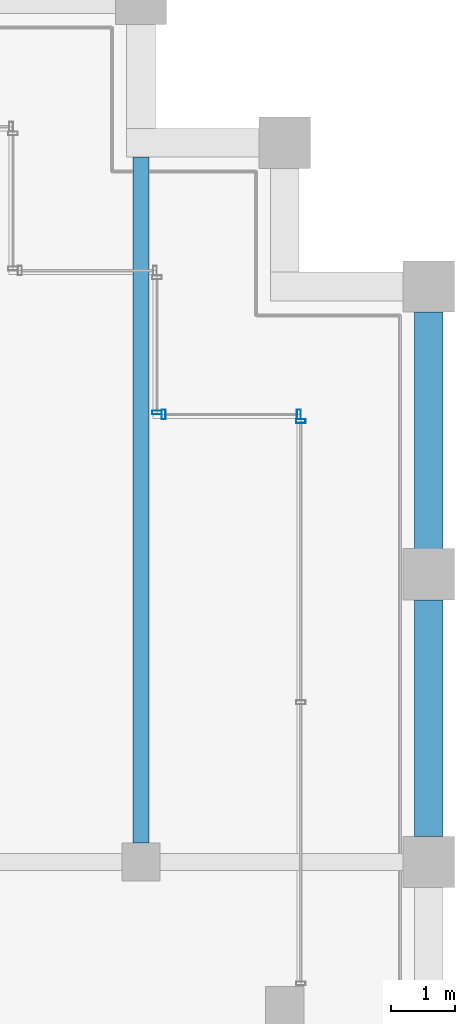
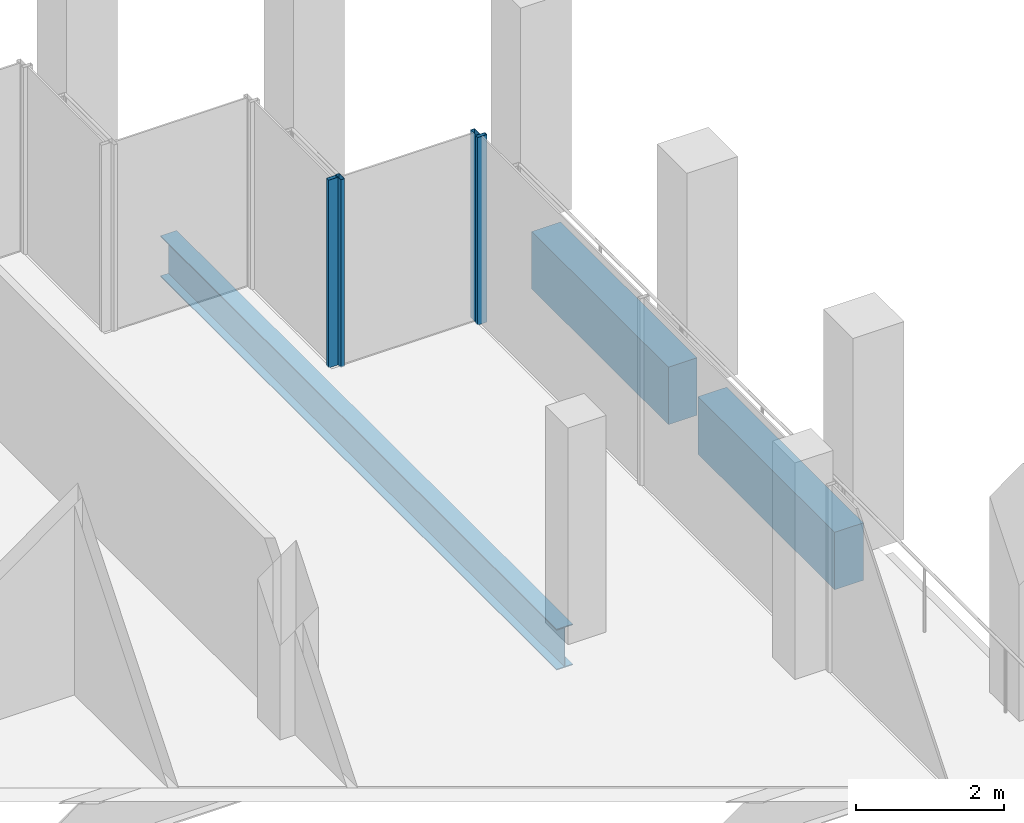
# One storey, part 25 of 30: 4 members, 3 beams, 3 elements without a shape of their own.
"""IFC4 building model written with IfcOpenShell, lengths in metres."""

from ifc_helpers import new_model, si_unit, direction, frame, origin, origin_2d, place, context, subcontext, project, spatial, rectangle, hollow_rectangle, i_section, extrude, material, material_profile, profile_set, type_object, element, aggregate, save


model = new_model("IFC4")

# Units and contexts
model_context = context("Model", 3, precision=1e-05, world=origin(), true_north=direction((0.0, 1.0)))
body_context = subcontext(model_context, "Body", "Model", "MODEL_VIEW")
ifc_project = project(units=[si_unit("LENGTHUNIT", "METRE"), si_unit("AREAUNIT", "SQUARE_METRE"), si_unit("VOLUMEUNIT", "CUBIC_METRE"), si_unit("PLANEANGLEUNIT", "RADIAN"), si_unit("MASSUNIT", "GRAM", prefix="KILO")], contexts=[model_context])

# Site, building, storey
site_placement = place(None, origin())
site = spatial("IfcSite", under=ifc_project, at=site_placement, CompositionType="ELEMENT")
building_placement = place(site_placement, origin())
building = spatial("IfcBuilding", under=site, at=building_placement, Name="Altepetl Exchange Towers", CompositionType="ELEMENT")
storey_placement = place(building_placement, frame((0.0, 0.0, 238.800048828125)))
storey = spatial("IfcBuildingStorey", under=building, at=storey_placement, Name="L61", CompositionType="ELEMENT", Elevation=238.800048828125)

# Beam
ifc_material_1 = material(Name="Steel S355", Category="steel")
ifc_material_profile_1 = material_profile(ifc_material_1, i_section(OverallWidth=0.2529296875, OverallDepth=0.677978515625, WebThickness=0.01171875, FlangeThickness=0.016357421875, at=origin_2d()), Name="W27X84")
ifc_profile_set_1 = profile_set([ifc_material_profile_1], Name="Steel S355")
beam_type_1 = type_object("IfcBeamType", Name="Floor beam W27X84", PredefinedType="BEAM", material=ifc_profile_set_1)
beam_placement = place(storey_placement, frame((67.5, 58.800048828125, -0.489013671875), z_axis=(0.0, 1.0, 0.0), x_axis=(-1.0, 0.0, 0.0)))
element("IfcBeam", 1, at=beam_placement, inside=storey, type_object=beam_type_1, Name="bm:A:L61:005", PredefinedType="BEAM", context=body_context, shape_type="SweptSolid", body=[
    extrude(i_section(OverallWidth=0.2529296875, OverallDepth=0.677978515625, WebThickness=0.01171875, FlangeThickness=0.016357421875, at=origin_2d()), origin(), (0.0, 0.0, 1.0), 10.724853515625),
])

# Curtain wall, member
ifc_material_2 = material(Name="Aluminium 6063-T6 glazing", Category="aluminium")
curtain_wall_type = type_object("IfcCurtainWallType", Name="Loggia glazing system", PredefinedType="NOTDEFINED", material=ifc_material_2)
curtain_wall_1_placement = place(storey_placement, origin())
curtain_wall_1 = element("IfcCurtainWall", 2, at=curtain_wall_1_placement, inside=storey, type_object=curtain_wall_type, Name="CW1 run", PredefinedType="NOTDEFINED")
ifc_material_3 = material(Name="Aluminium 6063-T6", Category="aluminium")
ifc_material_profile_2 = material_profile(ifc_material_3, hollow_rectangle(XDim=0.06005859375, YDim=0.14990234375, WallThickness=0.0029296875, at=origin_2d()), Name="Mullion 60x150 aluminium")
ifc_profile_set_2 = profile_set([ifc_material_profile_2], Name="Aluminium 6063-T6")
member_type = type_object("IfcMemberType", Name="Mullion 60x150 aluminium", PredefinedType="MULLION", material=ifc_profile_set_2)
member_1_placement = place(storey_placement, frame((70.0, 65.39501953125, 0.0), z_axis=(0.0, 0.0, 1.0), x_axis=(0.0, 1.0, 0.0)))
member_1 = element("IfcMember", 3, at=member_1_placement, type_object=member_type, Name="MU1 mullion", PredefinedType="MULLION", context=body_context, shape_type="SweptSolid", body=[
    extrude(hollow_rectangle(XDim=0.06005859375, YDim=0.14990234375, WallThickness=0.0029296875, at=origin_2d()), origin(), (0.0, 0.0, 1.0), 3.099853515625),
])
aggregate(curtain_wall_1, [member_1])

# Curtain wall, members
curtain_wall_2_placement = place(storey_placement, origin())
curtain_wall_2 = element("IfcCurtainWall", 4, at=curtain_wall_2_placement, inside=storey, type_object=curtain_wall_type, Name="CW1 run", PredefinedType="NOTDEFINED")
member_2_placement = place(storey_placement, frame((69.969970703125, 65.5, 0.0), z_axis=(0.0, 0.0, 1.0), x_axis=(-1.0, 0.0, 0.0)))
member_2 = element("IfcMember", 5, at=member_2_placement, type_object=member_type, Name="MU1 mullion", PredefinedType="MULLION", context=body_context, shape_type="SweptSolid", body=[
    extrude(hollow_rectangle(XDim=0.06005859375, YDim=0.14990234375, WallThickness=0.0029296875, at=origin_2d()), origin(), (0.0, 0.0, 1.0), 3.099853515625),
])
member_3_placement = place(storey_placement, frame((67.85498046875, 65.5, 0.0), z_axis=(0.0, 0.0, 1.0), x_axis=(-1.0, 0.0, 0.0)))
member_3 = element("IfcMember", 6, at=member_3_placement, type_object=member_type, Name="MU1 mullion", PredefinedType="MULLION", context=body_context, shape_type="SweptSolid", body=[
    extrude(hollow_rectangle(XDim=0.06005859375, YDim=0.14990234375, WallThickness=0.0029296875, at=origin_2d()), origin(), (0.0, 0.0, 1.0), 3.099853515625),
])
aggregate(curtain_wall_2, [member_2, member_3])

# Curtain wall, member
curtain_wall_3_placement = place(storey_placement, origin())
curtain_wall_3 = element("IfcCurtainWall", 7, at=curtain_wall_3_placement, inside=storey, type_object=curtain_wall_type, Name="CW1 run", PredefinedType="NOTDEFINED")
member_4_placement = place(storey_placement, frame((67.75, 65.530029296875, 0.0), z_axis=(0.0, 0.0, 1.0), x_axis=(0.0, 1.0, 0.0)))
member_4 = element("IfcMember", 8, at=member_4_placement, type_object=member_type, Name="MU1 mullion", PredefinedType="MULLION", context=body_context, shape_type="SweptSolid", body=[
    extrude(hollow_rectangle(XDim=0.06005859375, YDim=0.14990234375, WallThickness=0.0029296875, at=origin_2d()), origin(), (0.0, 0.0, 1.0), 3.099853515625),
])
aggregate(curtain_wall_3, [member_4])

# Beams
ifc_material_4 = material(Name="Concrete C50/60 precast with cantera rosa facing", Category="concrete")
ifc_material_profile_3 = material_profile(ifc_material_4, rectangle(XDim=0.449951171875, YDim=0.949951171875, at=origin_2d()), Name="450 x 950")
ifc_profile_set_3 = profile_set([ifc_material_profile_3], Name="Concrete C50/60 precast with cantera rosa facing")
beam_type_2 = type_object("IfcBeamType", Name="Spandrel beam 450x950 cantera rosa", PredefinedType="SPANDREL", material=ifc_profile_set_3)
for number, where, z_axis, x_axis, name in (
    (9, (72.0, 58.89990234375, -0.625), (0.0, 1.0, 0.0), (-1.0, 0.0, 0.0), "sp:A:L61:018"),
    (10, (72.0, 63.39990234375, -0.625), (0.0, 1.0, 0.0), (-1.0, 0.0, 0.0), "sp:A:L61:019"),
):
    element("IfcBeam", number, at=place(storey_placement, frame(where, z_axis=z_axis, x_axis=x_axis)), inside=storey, type_object=beam_type_2, Name=name, PredefinedType="SPANDREL", context=body_context, shape_type="SweptSolid", body=[
        extrude(rectangle(XDim=0.449951171875, YDim=0.949951171875, at=origin_2d()), origin(), (0.0, 0.0, 1.0), 3.7001953125),
    ])

save(model, "model.ifc")
